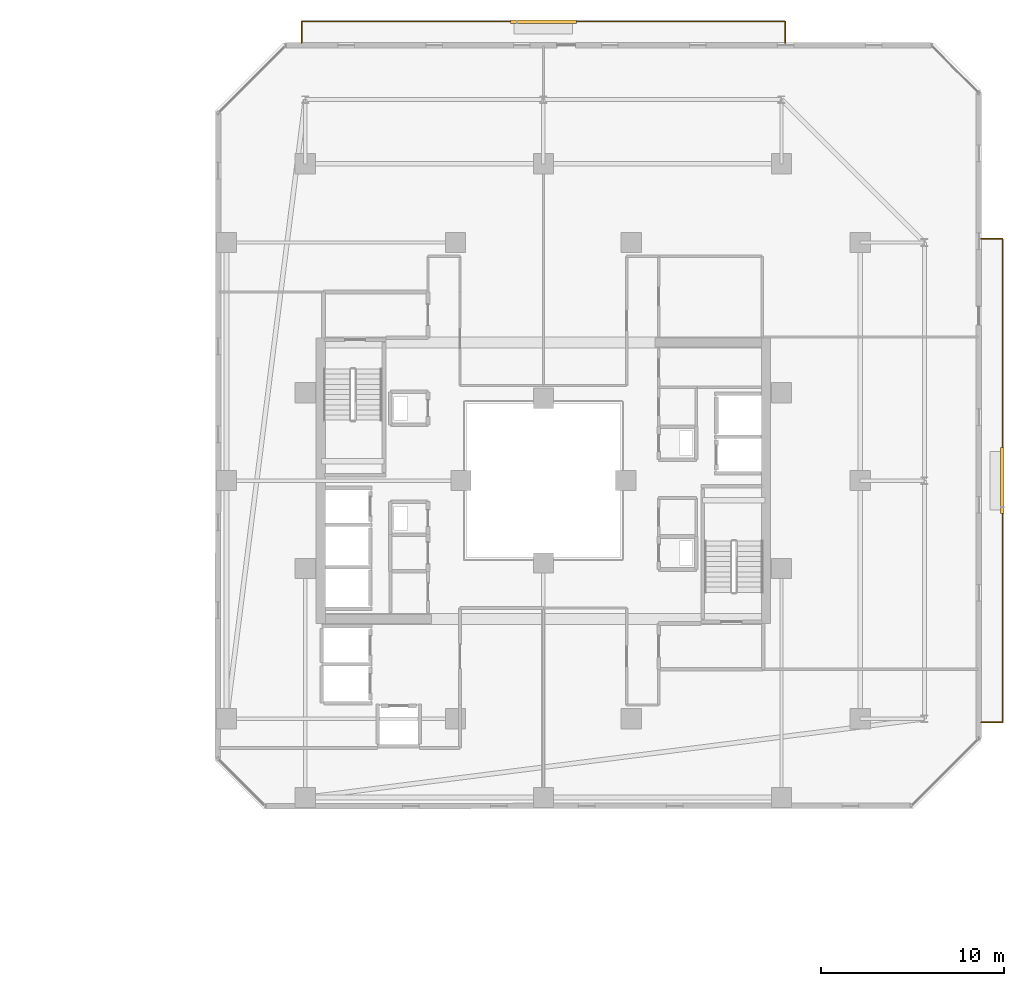
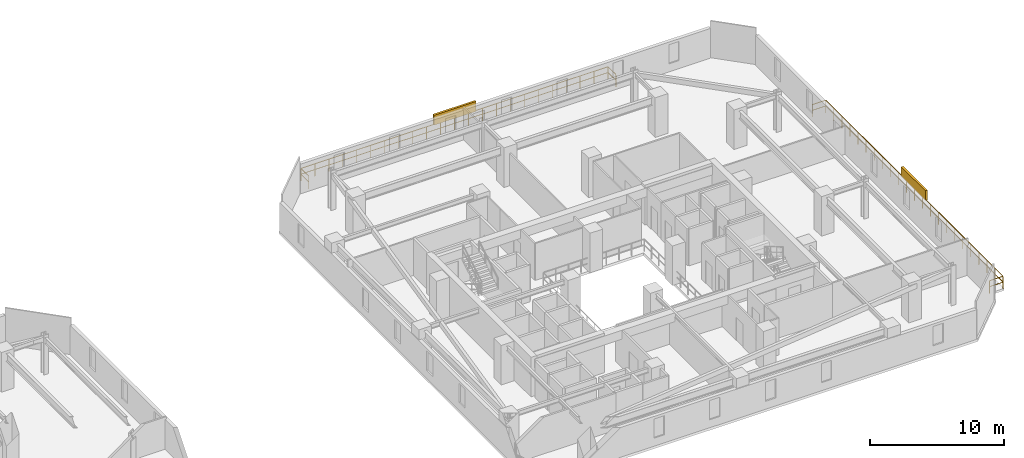
# One storey, part 32 of 32: 2 railings, 2 shading devices.
"""IFC4 building model written with IfcOpenShell, lengths in metres."""

from ifc_helpers import new_model, si_unit, direction, frame, origin, origin_2d, place, context, subcontext, project, spatial, rectangle, extrude, material, type_object, element, save


model = new_model("IFC4")

# Units and contexts
model_context = context("Model", 3, precision=1e-05, world=origin(), true_north=direction((0.0, 1.0)))
body_context = subcontext(model_context, "Body", "Model", "MODEL_VIEW")
ifc_project = project(units=[si_unit("LENGTHUNIT", "METRE"), si_unit("AREAUNIT", "SQUARE_METRE"), si_unit("VOLUMEUNIT", "CUBIC_METRE"), si_unit("PLANEANGLEUNIT", "RADIAN"), si_unit("MASSUNIT", "GRAM", prefix="KILO")], contexts=[model_context])

# Site, building, storey
site_placement = place(None, origin())
site = spatial("IfcSite", under=ifc_project, at=site_placement, CompositionType="ELEMENT")
building_placement = place(site_placement, origin())
building = spatial("IfcBuilding", under=site, at=building_placement, Name="Thornwick Lancets Civic Towers", CompositionType="ELEMENT")
storey_placement = place(building_placement, frame((0.0, 0.0, 156.300048828125)))
storey = spatial("IfcBuildingStorey", under=building, at=storey_placement, Name="L41", CompositionType="ELEMENT", Elevation=156.300048828125)

# Railings
ifc_material_1 = material(Name="Terracotta-capped laminated glass balustrade S355", Category="masonry")
railing_type = type_object("IfcRailingType", Name="RAIL_TERR_GUARD", PredefinedType="GUARDRAIL", material=ifc_material_1)
railing_1_placement = place(storey_placement, frame((112.39990234375, 13.800048828125, 0.0)))
element("IfcRailing", 1, at=railing_1_placement, inside=storey, type_object=railing_type, Name="L41 Tower B Balcony Guard E", PredefinedType="GUARDRAIL", context=body_context, shape_type="SweptSolid", body=[
    extrude(rectangle(XDim=0.048095703125, YDim=0.048095703125, at=origin_2d()), frame((0.0, 0.0, 1.1259765625), z_axis=(1.0, 0.0, 0.0), x_axis=(0.0, 1.0, 0.0)), (0.0, 0.0, 1.0), 1.138916015625),
    extrude(rectangle(XDim=0.0419921875, YDim=0.0419921875, at=origin_2d()), frame((0.03759765625, 0.0, 0.597900390625), z_axis=(1.0, 0.0, 0.0), x_axis=(0.0, 1.0, 0.0)), (0.0, 0.0, 1.0), 1.09521484375),
    extrude(rectangle(XDim=0.048095703125, YDim=0.048095703125, at=origin_2d()), frame((1.170166015625, 0.03125, 1.1259765625), z_axis=(0.0, 1.0, 0.0), x_axis=(-1.0, 0.0, 0.0)), (0.0, 0.0, 1.0), 26.33740234375),
    extrude(rectangle(XDim=0.0419921875, YDim=0.0419921875, at=origin_2d()), frame((1.170166015625, 0.03759765625, 0.597900390625), z_axis=(0.0, 1.0, 0.0), x_axis=(-1.0, 0.0, 0.0)), (0.0, 0.0, 1.0), 1.125),
    extrude(rectangle(XDim=0.0419921875, YDim=0.0419921875, at=origin_2d()), frame((1.170166015625, 1.237548828125, 0.597900390625), z_axis=(0.0, 1.0, 0.0), x_axis=(-1.0, 0.0, 0.0)), (0.0, 0.0, 1.0), 1.125),
    extrude(rectangle(XDim=0.0419921875, YDim=0.0419921875, at=origin_2d()), frame((1.170166015625, 2.4375, 0.597900390625), z_axis=(0.0, 1.0, 0.0), x_axis=(-1.0, 0.0, 0.0)), (0.0, 0.0, 1.0), 1.125),
    extrude(rectangle(XDim=0.0419921875, YDim=0.0419921875, at=origin_2d()), frame((1.170166015625, 3.637451171875, 0.597900390625), z_axis=(0.0, 1.0, 0.0), x_axis=(-1.0, 0.0, 0.0)), (0.0, 0.0, 1.0), 1.125),
    extrude(rectangle(XDim=0.0419921875, YDim=0.0419921875, at=origin_2d()), frame((1.170166015625, 4.83740234375, 0.597900390625), z_axis=(0.0, 1.0, 0.0), x_axis=(-1.0, 0.0, 0.0)), (0.0, 0.0, 1.0), 1.125),
    extrude(rectangle(XDim=0.0419921875, YDim=0.0419921875, at=origin_2d()), frame((1.170166015625, 6.037353515625, 0.597900390625), z_axis=(0.0, 1.0, 0.0), x_axis=(-1.0, 0.0, 0.0)), (0.0, 0.0, 1.0), 1.125),
    extrude(rectangle(XDim=0.0419921875, YDim=0.0419921875, at=origin_2d()), frame((1.170166015625, 7.237548828125, 0.597900390625), z_axis=(0.0, 1.0, 0.0), x_axis=(-1.0, 0.0, 0.0)), (0.0, 0.0, 1.0), 1.125),
    extrude(rectangle(XDim=0.0419921875, YDim=0.0419921875, at=origin_2d()), frame((1.170166015625, 8.4375, 0.597900390625), z_axis=(0.0, 1.0, 0.0), x_axis=(-1.0, 0.0, 0.0)), (0.0, 0.0, 1.0), 1.125),
    extrude(rectangle(XDim=0.0419921875, YDim=0.0419921875, at=origin_2d()), frame((1.170166015625, 9.637451171875, 0.597900390625), z_axis=(0.0, 1.0, 0.0), x_axis=(-1.0, 0.0, 0.0)), (0.0, 0.0, 1.0), 1.125),
    extrude(rectangle(XDim=0.0419921875, YDim=0.0419921875, at=origin_2d()), frame((1.170166015625, 10.83740234375, 0.597900390625), z_axis=(0.0, 1.0, 0.0), x_axis=(-1.0, 0.0, 0.0)), (0.0, 0.0, 1.0), 1.125),
    extrude(rectangle(XDim=0.0419921875, YDim=0.0419921875, at=origin_2d()), frame((1.170166015625, 12.037353515625, 0.597900390625), z_axis=(0.0, 1.0, 0.0), x_axis=(-1.0, 0.0, 0.0)), (0.0, 0.0, 1.0), 1.125),
    extrude(rectangle(XDim=0.0419921875, YDim=0.0419921875, at=origin_2d()), frame((1.170166015625, 13.237548828125, 0.597900390625), z_axis=(0.0, 1.0, 0.0), x_axis=(-1.0, 0.0, 0.0)), (0.0, 0.0, 1.0), 1.125),
    extrude(rectangle(XDim=0.0419921875, YDim=0.0419921875, at=origin_2d()), frame((1.170166015625, 14.4375, 0.597900390625), z_axis=(0.0, 1.0, 0.0), x_axis=(-1.0, 0.0, 0.0)), (0.0, 0.0, 1.0), 1.125),
    extrude(rectangle(XDim=0.0419921875, YDim=0.0419921875, at=origin_2d()), frame((1.170166015625, 15.637451171875, 0.597900390625), z_axis=(0.0, 1.0, 0.0), x_axis=(-1.0, 0.0, 0.0)), (0.0, 0.0, 1.0), 1.125),
    extrude(rectangle(XDim=0.0419921875, YDim=0.0419921875, at=origin_2d()), frame((1.170166015625, 16.83740234375, 0.597900390625), z_axis=(0.0, 1.0, 0.0), x_axis=(-1.0, 0.0, 0.0)), (0.0, 0.0, 1.0), 1.125),
    extrude(rectangle(XDim=0.0419921875, YDim=0.0419921875, at=origin_2d()), frame((1.170166015625, 18.037353515625, 0.597900390625), z_axis=(0.0, 1.0, 0.0), x_axis=(-1.0, 0.0, 0.0)), (0.0, 0.0, 1.0), 1.125),
    extrude(rectangle(XDim=0.0419921875, YDim=0.0419921875, at=origin_2d()), frame((1.170166015625, 19.2373046875, 0.597900390625), z_axis=(0.0, 1.0, 0.0), x_axis=(-1.0, 0.0, 0.0)), (0.0, 0.0, 1.0), 1.125),
    extrude(rectangle(XDim=0.0419921875, YDim=0.0419921875, at=origin_2d()), frame((1.170166015625, 20.4375, 0.597900390625), z_axis=(0.0, 1.0, 0.0), x_axis=(-1.0, 0.0, 0.0)), (0.0, 0.0, 1.0), 1.125),
    extrude(rectangle(XDim=0.0419921875, YDim=0.0419921875, at=origin_2d()), frame((1.170166015625, 21.637451171875, 0.597900390625), z_axis=(0.0, 1.0, 0.0), x_axis=(-1.0, 0.0, 0.0)), (0.0, 0.0, 1.0), 1.125),
    extrude(rectangle(XDim=0.0419921875, YDim=0.0419921875, at=origin_2d()), frame((1.170166015625, 22.83740234375, 0.597900390625), z_axis=(0.0, 1.0, 0.0), x_axis=(-1.0, 0.0, 0.0)), (0.0, 0.0, 1.0), 1.125),
    extrude(rectangle(XDim=0.0419921875, YDim=0.0419921875, at=origin_2d()), frame((1.170166015625, 24.037353515625, 0.597900390625), z_axis=(0.0, 1.0, 0.0), x_axis=(-1.0, 0.0, 0.0)), (0.0, 0.0, 1.0), 1.125),
    extrude(rectangle(XDim=0.0419921875, YDim=0.0419921875, at=origin_2d()), frame((1.170166015625, 25.2373046875, 0.597900390625), z_axis=(0.0, 1.0, 0.0), x_axis=(-1.0, 0.0, 0.0)), (0.0, 0.0, 1.0), 1.125),
    extrude(rectangle(XDim=0.048095703125, YDim=0.048095703125, at=origin_2d()), frame((1.138916015625, 26.39990234375, 1.1259765625), z_axis=(-1.0, 0.0, 0.0), x_axis=(0.0, -1.0, 0.0)), (0.0, 0.0, 1.0), 1.138916015625),
    extrude(rectangle(XDim=0.0419921875, YDim=0.0419921875, at=origin_2d()), frame((1.132568359375, 26.39990234375, 0.597900390625), z_axis=(-1.0, 0.0, 0.0), x_axis=(0.0, -1.0, 0.0)), (0.0, 0.0, 1.0), 1.09521484375),
    extrude(rectangle(XDim=0.0419921875, YDim=0.0419921875, at=origin_2d()), origin(), (0.0, 0.0, 1.0), 1.095703125),
    extrude(rectangle(XDim=0.0419921875, YDim=0.0419921875, at=origin_2d()), frame((1.170166015625, 0.0, 0.0)), (0.0, 0.0, 1.0), 1.095703125),
    extrude(rectangle(XDim=0.0419921875, YDim=0.0419921875, at=origin_2d()), frame((1.170166015625, 1.199951171875, 0.0)), (0.0, 0.0, 1.0), 1.095703125),
    extrude(rectangle(XDim=0.0419921875, YDim=0.0419921875, at=origin_2d()), frame((1.170166015625, 2.39990234375, 0.0)), (0.0, 0.0, 1.0), 1.095703125),
    extrude(rectangle(XDim=0.0419921875, YDim=0.0419921875, at=origin_2d()), frame((1.170166015625, 3.60009765625, 0.0)), (0.0, 0.0, 1.0), 1.095703125),
    extrude(rectangle(XDim=0.0419921875, YDim=0.0419921875, at=origin_2d()), frame((1.170166015625, 4.800048828125, 0.0)), (0.0, 0.0, 1.0), 1.095703125),
    extrude(rectangle(XDim=0.0419921875, YDim=0.0419921875, at=origin_2d()), frame((1.170166015625, 6.0, 0.0)), (0.0, 0.0, 1.0), 1.095703125),
    extrude(rectangle(XDim=0.0419921875, YDim=0.0419921875, at=origin_2d()), frame((1.170166015625, 7.199951171875, 0.0)), (0.0, 0.0, 1.0), 1.095703125),
    extrude(rectangle(XDim=0.0419921875, YDim=0.0419921875, at=origin_2d()), frame((1.170166015625, 8.39990234375, 0.0)), (0.0, 0.0, 1.0), 1.095703125),
    extrude(rectangle(XDim=0.0419921875, YDim=0.0419921875, at=origin_2d()), frame((1.170166015625, 9.599853515625, 0.0)), (0.0, 0.0, 1.0), 1.095703125),
    extrude(rectangle(XDim=0.0419921875, YDim=0.0419921875, at=origin_2d()), frame((1.170166015625, 10.800048828125, 0.0)), (0.0, 0.0, 1.0), 1.095703125),
    extrude(rectangle(XDim=0.0419921875, YDim=0.0419921875, at=origin_2d()), frame((1.170166015625, 12.0, 0.0)), (0.0, 0.0, 1.0), 1.095703125),
    extrude(rectangle(XDim=0.0419921875, YDim=0.0419921875, at=origin_2d()), frame((1.170166015625, 13.199951171875, 0.0)), (0.0, 0.0, 1.0), 1.095703125),
    extrude(rectangle(XDim=0.0419921875, YDim=0.0419921875, at=origin_2d()), frame((1.170166015625, 14.39990234375, 0.0)), (0.0, 0.0, 1.0), 1.095703125),
    extrude(rectangle(XDim=0.0419921875, YDim=0.0419921875, at=origin_2d()), frame((1.170166015625, 15.599853515625, 0.0)), (0.0, 0.0, 1.0), 1.095703125),
    extrude(rectangle(XDim=0.0419921875, YDim=0.0419921875, at=origin_2d()), frame((1.170166015625, 16.800048828125, 0.0)), (0.0, 0.0, 1.0), 1.095703125),
    extrude(rectangle(XDim=0.0419921875, YDim=0.0419921875, at=origin_2d()), frame((1.170166015625, 18.0, 0.0)), (0.0, 0.0, 1.0), 1.095703125),
    extrude(rectangle(XDim=0.0419921875, YDim=0.0419921875, at=origin_2d()), frame((1.170166015625, 19.199951171875, 0.0)), (0.0, 0.0, 1.0), 1.095703125),
    extrude(rectangle(XDim=0.0419921875, YDim=0.0419921875, at=origin_2d()), frame((1.170166015625, 20.39990234375, 0.0)), (0.0, 0.0, 1.0), 1.095703125),
    extrude(rectangle(XDim=0.0419921875, YDim=0.0419921875, at=origin_2d()), frame((1.170166015625, 21.599853515625, 0.0)), (0.0, 0.0, 1.0), 1.095703125),
    extrude(rectangle(XDim=0.0419921875, YDim=0.0419921875, at=origin_2d()), frame((1.170166015625, 22.7998046875, 0.0)), (0.0, 0.0, 1.0), 1.095703125),
    extrude(rectangle(XDim=0.0419921875, YDim=0.0419921875, at=origin_2d()), frame((1.170166015625, 24.0, 0.0)), (0.0, 0.0, 1.0), 1.095703125),
    extrude(rectangle(XDim=0.0419921875, YDim=0.0419921875, at=origin_2d()), frame((1.170166015625, 25.199951171875, 0.0)), (0.0, 0.0, 1.0), 1.095703125),
    extrude(rectangle(XDim=0.0419921875, YDim=0.0419921875, at=origin_2d()), frame((1.170166015625, 26.39990234375, 0.0)), (0.0, 0.0, 1.0), 1.095703125),
    extrude(rectangle(XDim=0.0419921875, YDim=0.0419921875, at=origin_2d()), frame((0.0, 26.39990234375, 0.0)), (0.0, 0.0, 1.0), 1.095703125),
])
railing_2_placement = place(storey_placement, frame((75.300048828125, 50.89990234375, 0.0)))
element("IfcRailing", 2, at=railing_2_placement, inside=storey, type_object=railing_type, Name="L41 Tower B Balcony Guard N", PredefinedType="GUARDRAIL", context=body_context, shape_type="SweptSolid", body=[
    extrude(rectangle(XDim=0.048095703125, YDim=0.048095703125, at=origin_2d()), frame((0.0, 0.0, 1.1259765625), z_axis=(0.0, 1.0, 0.0), x_axis=(-1.0, 0.0, 0.0)), (0.0, 0.0, 1.0), 1.138916015625),
    extrude(rectangle(XDim=0.0419921875, YDim=0.0419921875, at=origin_2d()), frame((0.0, 0.03759765625, 0.597900390625), z_axis=(0.0, 1.0, 0.0), x_axis=(-1.0, 0.0, 0.0)), (0.0, 0.0, 1.0), 1.09521484375),
    extrude(rectangle(XDim=0.048095703125, YDim=0.048095703125, at=origin_2d()), frame((0.03125, 1.170166015625, 1.1259765625), z_axis=(1.0, 0.0, 0.0), x_axis=(0.0, 1.0, 0.0)), (0.0, 0.0, 1.0), 26.33740234375),
    extrude(rectangle(XDim=0.0419921875, YDim=0.0419921875, at=origin_2d()), frame((0.03759765625, 1.170166015625, 0.597900390625), z_axis=(1.0, 0.0, 0.0), x_axis=(0.0, 1.0, 0.0)), (0.0, 0.0, 1.0), 1.125),
    extrude(rectangle(XDim=0.0419921875, YDim=0.0419921875, at=origin_2d()), frame((1.237548828125, 1.170166015625, 0.597900390625), z_axis=(1.0, 0.0, 0.0), x_axis=(0.0, 1.0, 0.0)), (0.0, 0.0, 1.0), 1.125),
    extrude(rectangle(XDim=0.0419921875, YDim=0.0419921875, at=origin_2d()), frame((2.4375, 1.170166015625, 0.597900390625), z_axis=(1.0, 0.0, 0.0), x_axis=(0.0, 1.0, 0.0)), (0.0, 0.0, 1.0), 1.125),
    extrude(rectangle(XDim=0.0419921875, YDim=0.0419921875, at=origin_2d()), frame((3.637451171875, 1.170166015625, 0.597900390625), z_axis=(1.0, 0.0, 0.0), x_axis=(0.0, 1.0, 0.0)), (0.0, 0.0, 1.0), 1.125),
    extrude(rectangle(XDim=0.0419921875, YDim=0.0419921875, at=origin_2d()), frame((4.83740234375, 1.170166015625, 0.597900390625), z_axis=(1.0, 0.0, 0.0), x_axis=(0.0, 1.0, 0.0)), (0.0, 0.0, 1.0), 1.125),
    extrude(rectangle(XDim=0.0419921875, YDim=0.0419921875, at=origin_2d()), frame((6.037353515625, 1.170166015625, 0.597900390625), z_axis=(1.0, 0.0, 0.0), x_axis=(0.0, 1.0, 0.0)), (0.0, 0.0, 1.0), 1.125),
    extrude(rectangle(XDim=0.0419921875, YDim=0.0419921875, at=origin_2d()), frame((7.237548828125, 1.170166015625, 0.597900390625), z_axis=(1.0, 0.0, 0.0), x_axis=(0.0, 1.0, 0.0)), (0.0, 0.0, 1.0), 1.125),
    extrude(rectangle(XDim=0.0419921875, YDim=0.0419921875, at=origin_2d()), frame((8.4375, 1.170166015625, 0.597900390625), z_axis=(1.0, 0.0, 0.0), x_axis=(0.0, 1.0, 0.0)), (0.0, 0.0, 1.0), 1.125),
    extrude(rectangle(XDim=0.0419921875, YDim=0.0419921875, at=origin_2d()), frame((9.637451171875, 1.170166015625, 0.597900390625), z_axis=(1.0, 0.0, 0.0), x_axis=(0.0, 1.0, 0.0)), (0.0, 0.0, 1.0), 1.125),
    extrude(rectangle(XDim=0.0419921875, YDim=0.0419921875, at=origin_2d()), frame((10.83740234375, 1.170166015625, 0.597900390625), z_axis=(1.0, 0.0, 0.0), x_axis=(0.0, 1.0, 0.0)), (0.0, 0.0, 1.0), 1.125),
    extrude(rectangle(XDim=0.0419921875, YDim=0.0419921875, at=origin_2d()), frame((12.037353515625, 1.170166015625, 0.597900390625), z_axis=(1.0, 0.0, 0.0), x_axis=(0.0, 1.0, 0.0)), (0.0, 0.0, 1.0), 1.125),
    extrude(rectangle(XDim=0.0419921875, YDim=0.0419921875, at=origin_2d()), frame((13.237548828125, 1.170166015625, 0.597900390625), z_axis=(1.0, 0.0, 0.0), x_axis=(0.0, 1.0, 0.0)), (0.0, 0.0, 1.0), 1.125),
    extrude(rectangle(XDim=0.0419921875, YDim=0.0419921875, at=origin_2d()), frame((14.4375, 1.170166015625, 0.597900390625), z_axis=(1.0, 0.0, 0.0), x_axis=(0.0, 1.0, 0.0)), (0.0, 0.0, 1.0), 1.125),
    extrude(rectangle(XDim=0.0419921875, YDim=0.0419921875, at=origin_2d()), frame((15.637451171875, 1.170166015625, 0.597900390625), z_axis=(1.0, 0.0, 0.0), x_axis=(0.0, 1.0, 0.0)), (0.0, 0.0, 1.0), 1.125),
    extrude(rectangle(XDim=0.0419921875, YDim=0.0419921875, at=origin_2d()), frame((16.83740234375, 1.170166015625, 0.597900390625), z_axis=(1.0, 0.0, 0.0), x_axis=(0.0, 1.0, 0.0)), (0.0, 0.0, 1.0), 1.125),
    extrude(rectangle(XDim=0.0419921875, YDim=0.0419921875, at=origin_2d()), frame((18.037353515625, 1.170166015625, 0.597900390625), z_axis=(1.0, 0.0, 0.0), x_axis=(0.0, 1.0, 0.0)), (0.0, 0.0, 1.0), 1.125),
    extrude(rectangle(XDim=0.0419921875, YDim=0.0419921875, at=origin_2d()), frame((19.2373046875, 1.170166015625, 0.597900390625), z_axis=(1.0, 0.0, 0.0), x_axis=(0.0, 1.0, 0.0)), (0.0, 0.0, 1.0), 1.125),
    extrude(rectangle(XDim=0.0419921875, YDim=0.0419921875, at=origin_2d()), frame((20.4375, 1.170166015625, 0.597900390625), z_axis=(1.0, 0.0, 0.0), x_axis=(0.0, 1.0, 0.0)), (0.0, 0.0, 1.0), 1.125),
    extrude(rectangle(XDim=0.0419921875, YDim=0.0419921875, at=origin_2d()), frame((21.637451171875, 1.170166015625, 0.597900390625), z_axis=(1.0, 0.0, 0.0), x_axis=(0.0, 1.0, 0.0)), (0.0, 0.0, 1.0), 1.125),
    extrude(rectangle(XDim=0.0419921875, YDim=0.0419921875, at=origin_2d()), frame((22.83740234375, 1.170166015625, 0.597900390625), z_axis=(1.0, 0.0, 0.0), x_axis=(0.0, 1.0, 0.0)), (0.0, 0.0, 1.0), 1.125),
    extrude(rectangle(XDim=0.0419921875, YDim=0.0419921875, at=origin_2d()), frame((24.037353515625, 1.170166015625, 0.597900390625), z_axis=(1.0, 0.0, 0.0), x_axis=(0.0, 1.0, 0.0)), (0.0, 0.0, 1.0), 1.125),
    extrude(rectangle(XDim=0.0419921875, YDim=0.0419921875, at=origin_2d()), frame((25.2373046875, 1.170166015625, 0.597900390625), z_axis=(1.0, 0.0, 0.0), x_axis=(0.0, 1.0, 0.0)), (0.0, 0.0, 1.0), 1.125),
    extrude(rectangle(XDim=0.048095703125, YDim=0.048095703125, at=origin_2d()), frame((26.39990234375, 1.138916015625, 1.1259765625), z_axis=(0.0, -1.0, 0.0), x_axis=(1.0, 0.0, 0.0)), (0.0, 0.0, 1.0), 1.138916015625),
    extrude(rectangle(XDim=0.0419921875, YDim=0.0419921875, at=origin_2d()), frame((26.39990234375, 1.132568359375, 0.597900390625), z_axis=(0.0, -1.0, 0.0), x_axis=(1.0, 0.0, 0.0)), (0.0, 0.0, 1.0), 1.09521484375),
    extrude(rectangle(XDim=0.0419921875, YDim=0.0419921875, at=origin_2d()), origin(), (0.0, 0.0, 1.0), 1.095703125),
    extrude(rectangle(XDim=0.0419921875, YDim=0.0419921875, at=origin_2d()), frame((0.0, 1.170166015625, 0.0)), (0.0, 0.0, 1.0), 1.095703125),
    extrude(rectangle(XDim=0.0419921875, YDim=0.0419921875, at=origin_2d()), frame((1.199951171875, 1.170166015625, 0.0)), (0.0, 0.0, 1.0), 1.095703125),
    extrude(rectangle(XDim=0.0419921875, YDim=0.0419921875, at=origin_2d()), frame((2.39990234375, 1.170166015625, 0.0)), (0.0, 0.0, 1.0), 1.095703125),
    extrude(rectangle(XDim=0.0419921875, YDim=0.0419921875, at=origin_2d()), frame((3.60009765625, 1.170166015625, 0.0)), (0.0, 0.0, 1.0), 1.095703125),
    extrude(rectangle(XDim=0.0419921875, YDim=0.0419921875, at=origin_2d()), frame((4.800048828125, 1.170166015625, 0.0)), (0.0, 0.0, 1.0), 1.095703125),
    extrude(rectangle(XDim=0.0419921875, YDim=0.0419921875, at=origin_2d()), frame((6.0, 1.170166015625, 0.0)), (0.0, 0.0, 1.0), 1.095703125),
    extrude(rectangle(XDim=0.0419921875, YDim=0.0419921875, at=origin_2d()), frame((7.199951171875, 1.170166015625, 0.0)), (0.0, 0.0, 1.0), 1.095703125),
    extrude(rectangle(XDim=0.0419921875, YDim=0.0419921875, at=origin_2d()), frame((8.39990234375, 1.170166015625, 0.0)), (0.0, 0.0, 1.0), 1.095703125),
    extrude(rectangle(XDim=0.0419921875, YDim=0.0419921875, at=origin_2d()), frame((9.599853515625, 1.170166015625, 0.0)), (0.0, 0.0, 1.0), 1.095703125),
    extrude(rectangle(XDim=0.0419921875, YDim=0.0419921875, at=origin_2d()), frame((10.800048828125, 1.170166015625, 0.0)), (0.0, 0.0, 1.0), 1.095703125),
    extrude(rectangle(XDim=0.0419921875, YDim=0.0419921875, at=origin_2d()), frame((12.0, 1.170166015625, 0.0)), (0.0, 0.0, 1.0), 1.095703125),
    extrude(rectangle(XDim=0.0419921875, YDim=0.0419921875, at=origin_2d()), frame((13.199951171875, 1.170166015625, 0.0)), (0.0, 0.0, 1.0), 1.095703125),
    extrude(rectangle(XDim=0.0419921875, YDim=0.0419921875, at=origin_2d()), frame((14.39990234375, 1.170166015625, 0.0)), (0.0, 0.0, 1.0), 1.095703125),
    extrude(rectangle(XDim=0.0419921875, YDim=0.0419921875, at=origin_2d()), frame((15.599853515625, 1.170166015625, 0.0)), (0.0, 0.0, 1.0), 1.095703125),
    extrude(rectangle(XDim=0.0419921875, YDim=0.0419921875, at=origin_2d()), frame((16.800048828125, 1.170166015625, 0.0)), (0.0, 0.0, 1.0), 1.095703125),
    extrude(rectangle(XDim=0.0419921875, YDim=0.0419921875, at=origin_2d()), frame((18.0, 1.170166015625, 0.0)), (0.0, 0.0, 1.0), 1.095703125),
    extrude(rectangle(XDim=0.0419921875, YDim=0.0419921875, at=origin_2d()), frame((19.199951171875, 1.170166015625, 0.0)), (0.0, 0.0, 1.0), 1.095703125),
    extrude(rectangle(XDim=0.0419921875, YDim=0.0419921875, at=origin_2d()), frame((20.39990234375, 1.170166015625, 0.0)), (0.0, 0.0, 1.0), 1.095703125),
    extrude(rectangle(XDim=0.0419921875, YDim=0.0419921875, at=origin_2d()), frame((21.599853515625, 1.170166015625, 0.0)), (0.0, 0.0, 1.0), 1.095703125),
    extrude(rectangle(XDim=0.0419921875, YDim=0.0419921875, at=origin_2d()), frame((22.7998046875, 1.170166015625, 0.0)), (0.0, 0.0, 1.0), 1.095703125),
    extrude(rectangle(XDim=0.0419921875, YDim=0.0419921875, at=origin_2d()), frame((24.0, 1.170166015625, 0.0)), (0.0, 0.0, 1.0), 1.095703125),
    extrude(rectangle(XDim=0.0419921875, YDim=0.0419921875, at=origin_2d()), frame((25.199951171875, 1.170166015625, 0.0)), (0.0, 0.0, 1.0), 1.095703125),
    extrude(rectangle(XDim=0.0419921875, YDim=0.0419921875, at=origin_2d()), frame((26.39990234375, 1.170166015625, 0.0)), (0.0, 0.0, 1.0), 1.095703125),
    extrude(rectangle(XDim=0.0419921875, YDim=0.0419921875, at=origin_2d()), frame((26.39990234375, 0.0, 0.0)), (0.0, 0.0, 1.0), 1.095703125),
])

# Shading devices
ifc_material_2 = material(Name="Extruded terracotta baguette solar screen", Category="masonry")
shading_device_type = type_object("IfcShadingDeviceType", Name="SHADE_BAGUETTE", PredefinedType="JALOUSIE", material=ifc_material_2)
for number, where, z_axis, x_axis, name in (
    (3, (113.56005859375, 27.0, 1.1201171875), (0.0, 0.0, 1.0), (0.0, 1.0, 0.0), "L41 Tower B Terracotta Baguette Screen E"),
    (4, (88.5, 52.06005859375, 1.1201171875), (0.0, 0.0, 1.0), (1.0, 0.0, 0.0), "L41 Tower B Terracotta Baguette Screen N"),
):
    element("IfcShadingDevice", number, at=place(storey_placement, frame(where, z_axis=z_axis, x_axis=x_axis)), inside=storey, type_object=shading_device_type, Name=name, PredefinedType="JALOUSIE", context=body_context, shape_type="SweptSolid", body=[
        extrude(rectangle(XDim=3.60009765625, YDim=0.179931640625, at=origin_2d()), origin(), (0.0, 0.0, 1.0), 0.89990234375),
    ])

save(model, "model.ifc")
